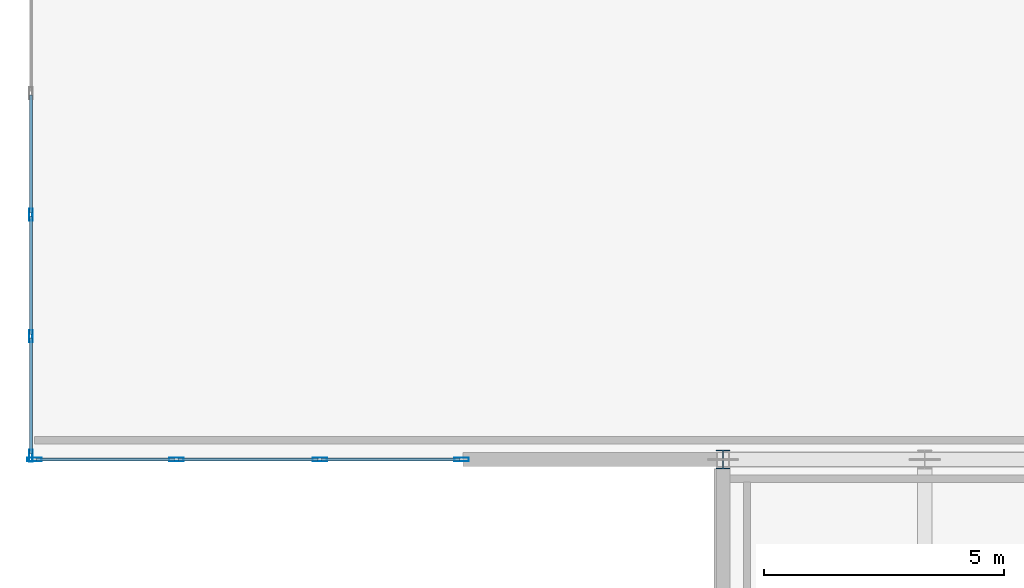
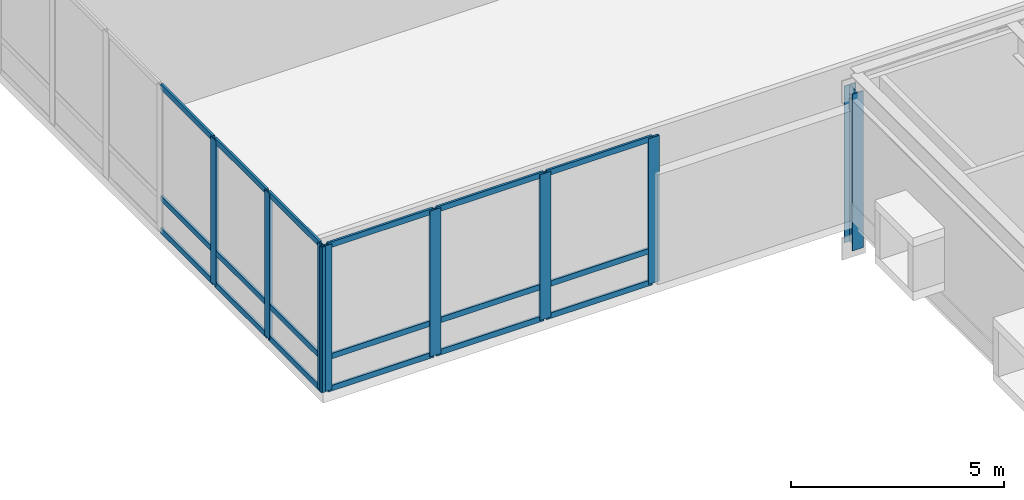
# One storey, part 17 of 115: 26 members, 2 elements without a shape of their own.
"""IFC4 building model written with IfcOpenShell, lengths in metres."""

from ifc_helpers import new_model, si_unit, direction, frame, origin, origin_2d, place, context, subcontext, project, spatial, hollow_rectangle, i_section, extrude, material, layer, layer_set, material_profile, profile_set, type_object, element, aggregate, save


model = new_model("IFC4")

# Units and contexts
model_context = context("Model", 3, precision=1e-05, world=origin(), true_north=direction((0.0, 1.0)))
body_context = subcontext(model_context, "Body", "Model", "MODEL_VIEW")
ifc_project = project(units=[si_unit("LENGTHUNIT", "METRE"), si_unit("AREAUNIT", "SQUARE_METRE"), si_unit("VOLUMEUNIT", "CUBIC_METRE"), si_unit("PLANEANGLEUNIT", "RADIAN"), si_unit("MASSUNIT", "GRAM", prefix="KILO")], contexts=[model_context])

# Site, building, storey
site_placement = place(None, origin())
site = spatial("IfcSite", under=ifc_project, at=site_placement, CompositionType="ELEMENT")
building_placement = place(site_placement, origin())
building = spatial("IfcBuilding", under=site, at=building_placement, Name="Montelvaro Courts of Justice", CompositionType="ELEMENT")
storey_placement = place(building_placement, frame((0.0, 0.0, 9.89990234375)))
storey = spatial("IfcBuildingStorey", under=building, at=storey_placement, Name="L02", CompositionType="ELEMENT", Elevation=9.89990234375)

# Curtain wall, members
ifc_material_1 = material(Name="Anodised aluminium EN AW-6063", Category="aluminium")
ifc_layer_1 = layer(ifc_material_1, 0.159912109375)
ifc_layer_set_1 = layer_set([ifc_layer_1], Name="Anodised aluminium EN AW-6063")
curtain_wall_type_1 = type_object("IfcCurtainWallType", Name="CurtainWall_29_1770x418", PredefinedType="USERDEFINED", material=ifc_layer_set_1)
curtain_wall_1_placement = place(storey_placement, origin())
curtain_wall_1 = element("IfcCurtainWall", 1, at=curtain_wall_1_placement, inside=storey, type_object=curtain_wall_type_1, Name="Curtain Wall CW-29 (L02)", ObjectType="CURTAIN WALL", PredefinedType="USERDEFINED")
ifc_material_profile_1 = material_profile(ifc_material_1, hollow_rectangle(XDim=0.074951171875, YDim=0.25, WallThickness=0.005615234375, at=origin_2d()), Name="ALU-M 75x250")
ifc_profile_set_1 = profile_set([ifc_material_profile_1], Name="Anodised aluminium EN AW-6063")
member_type_1 = type_object("IfcMemberType", Name="CurtainWall_Mullion_75x250", PredefinedType="MULLION", material=ifc_profile_set_1)
member_1_placement = place(storey_placement, frame((18.0, 29.095703125, 0.0), z_axis=(0.0, 0.0, 1.0), x_axis=(1.0, 0.0, 0.0)))
member_1 = element("IfcMember", 2, at=member_1_placement, type_object=member_type_1, Name="CW-29 mullion 6", PredefinedType="MULLION", context=body_context, shape_type="SweptSolid", body=[
    extrude(hollow_rectangle(XDim=0.074951171875, YDim=0.25, WallThickness=0.005615234375, at=origin_2d()), origin(), (0.0, 0.0, 1.0), 4.18017578125),
])
member_2_placement = place(storey_placement, frame((18.0, 26.56787109375, 0.0), z_axis=(0.0, 0.0, 1.0), x_axis=(1.0, 0.0, 0.0)))
member_2 = element("IfcMember", 3, at=member_2_placement, type_object=member_type_1, Name="CW-29 mullion 7", PredefinedType="MULLION", context=body_context, shape_type="SweptSolid", body=[
    extrude(hollow_rectangle(XDim=0.074951171875, YDim=0.25, WallThickness=0.005615234375, at=origin_2d()), origin(), (0.0, 0.0, 1.0), 4.18017578125),
])
member_3_placement = place(storey_placement, frame((18.0, 24.077392578125, 0.0), z_axis=(0.0, 0.0, 1.0), x_axis=(1.0, 0.0, 0.0)))
member_3 = element("IfcMember", 4, at=member_3_placement, type_object=member_type_1, Name="CW-29 mullion 8", PredefinedType="MULLION", context=body_context, shape_type="SweptSolid", body=[
    extrude(hollow_rectangle(XDim=0.074951171875, YDim=0.25, WallThickness=0.005615234375, at=origin_2d()), origin(), (0.0, 0.0, 1.0), 4.18017578125),
])

ifc_layer_2 = layer(ifc_material_1, 0.159912109375)
ifc_layer_set_2 = layer_set([ifc_layer_2], Name="Anodised aluminium EN AW-6063")
curtain_wall_type_2 = type_object("IfcCurtainWallType", Name="CurtainWall_28_896x418", PredefinedType="USERDEFINED", material=ifc_layer_set_2)
curtain_wall_2_placement = place(storey_placement, origin())
curtain_wall_2 = element("IfcCurtainWall", 5, at=curtain_wall_2_placement, inside=storey, type_object=curtain_wall_type_2, Name="Curtain Wall CW-28 (L02)", ObjectType="CURTAIN WALL", PredefinedType="USERDEFINED")
ifc_material_profile_2 = material_profile(ifc_material_1, hollow_rectangle(XDim=0.074951171875, YDim=0.300048828125, WallThickness=0.006103515625, at=origin_2d()), Name="ALU-M 75x300")
ifc_profile_set_2 = profile_set([ifc_material_profile_2], Name="Anodised aluminium EN AW-6063")
member_type_2 = type_object("IfcMemberType", Name="CurtainWall_Mullion_75x300", PredefinedType="MULLION", material=ifc_profile_set_2)
member_4_placement = place(storey_placement, frame((18.077392578125, 24.0, 0.0), z_axis=(0.0, 0.0, 1.0), x_axis=(0.0, 1.0, 0.0)))
member_4 = element("IfcMember", 6, at=member_4_placement, type_object=member_type_2, Name="CW-28 mullion 1", PredefinedType="MULLION", context=body_context, shape_type="SweptSolid", body=[
    extrude(hollow_rectangle(XDim=0.074951171875, YDim=0.300048828125, WallThickness=0.006103515625, at=origin_2d()), origin(), (0.0, 0.0, 1.0), 4.18017578125),
])
member_5_placement = place(storey_placement, frame((21.026611328125, 24.0, 0.0), z_axis=(0.0, 0.0, 1.0), x_axis=(0.0, 1.0, 0.0)))
member_5 = element("IfcMember", 7, at=member_5_placement, type_object=member_type_2, Name="CW-28 mullion 2", PredefinedType="MULLION", context=body_context, shape_type="SweptSolid", body=[
    extrude(hollow_rectangle(XDim=0.074951171875, YDim=0.300048828125, WallThickness=0.006103515625, at=origin_2d()), origin(), (0.0, 0.0, 1.0), 4.18017578125),
])
member_6_placement = place(storey_placement, frame((24.013427734375, 24.0, 0.0), z_axis=(0.0, 0.0, 1.0), x_axis=(0.0, 1.0, 0.0)))
member_6 = element("IfcMember", 8, at=member_6_placement, type_object=member_type_2, Name="CW-28 mullion 3", PredefinedType="MULLION", context=body_context, shape_type="SweptSolid", body=[
    extrude(hollow_rectangle(XDim=0.074951171875, YDim=0.300048828125, WallThickness=0.006103515625, at=origin_2d()), origin(), (0.0, 0.0, 1.0), 4.18017578125),
])
member_7_placement = place(storey_placement, frame((26.96240234375, 24.0, 0.0), z_axis=(0.0, 0.0, 1.0), x_axis=(0.0, 1.0, 0.0)))
member_7 = element("IfcMember", 9, at=member_7_placement, type_object=member_type_2, Name="CW-28 mullion 4", PredefinedType="MULLION", context=body_context, shape_type="SweptSolid", body=[
    extrude(hollow_rectangle(XDim=0.074951171875, YDim=0.300048828125, WallThickness=0.006103515625, at=origin_2d()), origin(), (0.0, 0.0, 1.0), 4.18017578125),
])
ifc_material_profile_3 = material_profile(ifc_material_1, hollow_rectangle(XDim=0.06005859375, YDim=0.159912109375, WallThickness=0.00439453125, at=origin_2d()), Name="ALU-T 60x160")
ifc_profile_set_3 = profile_set([ifc_material_profile_3], Name="Anodised aluminium EN AW-6063")
member_type_3 = type_object("IfcMemberType", Name="CurtainWall_Transom_60x160", PredefinedType="USERDEFINED", material=ifc_profile_set_3)
member_8_placement = place(storey_placement, frame((18.114990234375, 24.0, 0.030029296875), z_axis=(1.0, 0.0, 0.0), x_axis=(0.0, 1.0, 0.0)))
member_8 = element("IfcMember", 10, at=member_8_placement, type_object=member_type_3, Name="CW-28 transom 1.1", ObjectType="TRANSOM", PredefinedType="USERDEFINED", context=body_context, shape_type="SweptSolid", body=[
    extrude(hollow_rectangle(XDim=0.06005859375, YDim=0.159912109375, WallThickness=0.00439453125, at=origin_2d()), origin(), (0.0, 0.0, 1.0), 2.874267578125),
])
member_9_placement = place(storey_placement, frame((18.114990234375, 24.0, 0.9501953125), z_axis=(1.0, 0.0, 0.0), x_axis=(0.0, 1.0, 0.0)))
member_9 = element("IfcMember", 11, at=member_9_placement, type_object=member_type_3, Name="CW-28 transom 1.2", ObjectType="TRANSOM", PredefinedType="USERDEFINED", context=body_context, shape_type="SweptSolid", body=[
    extrude(hollow_rectangle(XDim=0.06005859375, YDim=0.159912109375, WallThickness=0.00439453125, at=origin_2d()), origin(), (0.0, 0.0, 1.0), 2.874267578125),
])
member_10_placement = place(storey_placement, frame((18.114990234375, 24.0, 4.150146484375), z_axis=(1.0, 0.0, 0.0), x_axis=(0.0, 1.0, 0.0)))
member_10 = element("IfcMember", 12, at=member_10_placement, type_object=member_type_3, Name="CW-28 transom 1.3", ObjectType="TRANSOM", PredefinedType="USERDEFINED", context=body_context, shape_type="SweptSolid", body=[
    extrude(hollow_rectangle(XDim=0.06005859375, YDim=0.159912109375, WallThickness=0.00439453125, at=origin_2d()), origin(), (0.0, 0.0, 1.0), 2.874267578125),
])
member_11_placement = place(storey_placement, frame((21.064208984375, 24.0, 0.030029296875), z_axis=(1.0, 0.0, 0.0), x_axis=(0.0, 1.0, 0.0)))
member_11 = element("IfcMember", 13, at=member_11_placement, type_object=member_type_3, Name="CW-28 transom 2.1", ObjectType="TRANSOM", PredefinedType="USERDEFINED", context=body_context, shape_type="SweptSolid", body=[
    extrude(hollow_rectangle(XDim=0.06005859375, YDim=0.159912109375, WallThickness=0.00439453125, at=origin_2d()), origin(), (0.0, 0.0, 1.0), 2.91162109375),
])
member_12_placement = place(storey_placement, frame((21.064208984375, 24.0, 0.9501953125), z_axis=(1.0, 0.0, 0.0), x_axis=(0.0, 1.0, 0.0)))
member_12 = element("IfcMember", 14, at=member_12_placement, type_object=member_type_3, Name="CW-28 transom 2.2", ObjectType="TRANSOM", PredefinedType="USERDEFINED", context=body_context, shape_type="SweptSolid", body=[
    extrude(hollow_rectangle(XDim=0.06005859375, YDim=0.159912109375, WallThickness=0.00439453125, at=origin_2d()), origin(), (0.0, 0.0, 1.0), 2.91162109375),
])
member_13_placement = place(storey_placement, frame((21.064208984375, 24.0, 4.150146484375), z_axis=(1.0, 0.0, 0.0), x_axis=(0.0, 1.0, 0.0)))
member_13 = element("IfcMember", 15, at=member_13_placement, type_object=member_type_3, Name="CW-28 transom 2.3", ObjectType="TRANSOM", PredefinedType="USERDEFINED", context=body_context, shape_type="SweptSolid", body=[
    extrude(hollow_rectangle(XDim=0.06005859375, YDim=0.159912109375, WallThickness=0.00439453125, at=origin_2d()), origin(), (0.0, 0.0, 1.0), 2.91162109375),
])
member_14_placement = place(storey_placement, frame((24.05078125, 24.0, 0.030029296875), z_axis=(1.0, 0.0, 0.0), x_axis=(0.0, 1.0, 0.0)))
member_14 = element("IfcMember", 16, at=member_14_placement, type_object=member_type_3, Name="CW-28 transom 3.1", ObjectType="TRANSOM", PredefinedType="USERDEFINED", context=body_context, shape_type="SweptSolid", body=[
    extrude(hollow_rectangle(XDim=0.06005859375, YDim=0.159912109375, WallThickness=0.00439453125, at=origin_2d()), origin(), (0.0, 0.0, 1.0), 2.874267578125),
])
member_15_placement = place(storey_placement, frame((24.05078125, 24.0, 0.9501953125), z_axis=(1.0, 0.0, 0.0), x_axis=(0.0, 1.0, 0.0)))
member_15 = element("IfcMember", 17, at=member_15_placement, type_object=member_type_3, Name="CW-28 transom 3.2", ObjectType="TRANSOM", PredefinedType="USERDEFINED", context=body_context, shape_type="SweptSolid", body=[
    extrude(hollow_rectangle(XDim=0.06005859375, YDim=0.159912109375, WallThickness=0.00439453125, at=origin_2d()), origin(), (0.0, 0.0, 1.0), 2.874267578125),
])
member_16_placement = place(storey_placement, frame((24.05078125, 24.0, 4.150146484375), z_axis=(1.0, 0.0, 0.0), x_axis=(0.0, 1.0, 0.0)))
member_16 = element("IfcMember", 18, at=member_16_placement, type_object=member_type_3, Name="CW-28 transom 3.3", ObjectType="TRANSOM", PredefinedType="USERDEFINED", context=body_context, shape_type="SweptSolid", body=[
    extrude(hollow_rectangle(XDim=0.06005859375, YDim=0.159912109375, WallThickness=0.00439453125, at=origin_2d()), origin(), (0.0, 0.0, 1.0), 2.874267578125),
])
aggregate(curtain_wall_2, [member_4, member_5, member_6, member_7, member_8, member_9, member_10, member_11, member_12, member_13, member_14, member_15, member_16])

# Member
member_17_placement = place(storey_placement, frame((18.0, 31.586181640625, 0.030029296875), z_axis=(0.0, -1.0, 0.0), x_axis=(1.0, 0.0, 0.0)))
member_17 = element("IfcMember", 19, at=member_17_placement, type_object=member_type_3, Name="CW-29 transom 5.1", ObjectType="TRANSOM", PredefinedType="USERDEFINED", context=body_context, shape_type="SweptSolid", body=[
    extrude(hollow_rectangle(XDim=0.06005859375, YDim=0.159912109375, WallThickness=0.00439453125, at=origin_2d()), origin(), (0.0, 0.0, 1.0), 2.452880859375),
])

member_18_placement = place(storey_placement, frame((18.0, 31.586181640625, 0.9501953125), z_axis=(0.0, -1.0, 0.0), x_axis=(1.0, 0.0, 0.0)))
member_18 = element("IfcMember", 20, at=member_18_placement, type_object=member_type_3, Name="CW-29 transom 5.2", ObjectType="TRANSOM", PredefinedType="USERDEFINED", context=body_context, shape_type="SweptSolid", body=[
    extrude(hollow_rectangle(XDim=0.06005859375, YDim=0.159912109375, WallThickness=0.00439453125, at=origin_2d()), origin(), (0.0, 0.0, 1.0), 2.452880859375),
])

member_19_placement = place(storey_placement, frame((18.0, 31.586181640625, 4.150146484375), z_axis=(0.0, -1.0, 0.0), x_axis=(1.0, 0.0, 0.0)))
member_19 = element("IfcMember", 21, at=member_19_placement, type_object=member_type_3, Name="CW-29 transom 5.3", ObjectType="TRANSOM", PredefinedType="USERDEFINED", context=body_context, shape_type="SweptSolid", body=[
    extrude(hollow_rectangle(XDim=0.06005859375, YDim=0.159912109375, WallThickness=0.00439453125, at=origin_2d()), origin(), (0.0, 0.0, 1.0), 2.452880859375),
])

member_20_placement = place(storey_placement, frame((18.0, 29.05810546875, 0.030029296875), z_axis=(0.0, -1.0, 0.0), x_axis=(1.0, 0.0, 0.0)))
member_20 = element("IfcMember", 22, at=member_20_placement, type_object=member_type_3, Name="CW-29 transom 6.1", ObjectType="TRANSOM", PredefinedType="USERDEFINED", context=body_context, shape_type="SweptSolid", body=[
    extrude(hollow_rectangle(XDim=0.06005859375, YDim=0.159912109375, WallThickness=0.00439453125, at=origin_2d()), origin(), (0.0, 0.0, 1.0), 2.45263671875),
])

member_21_placement = place(storey_placement, frame((18.0, 29.05810546875, 0.9501953125), z_axis=(0.0, -1.0, 0.0), x_axis=(1.0, 0.0, 0.0)))
member_21 = element("IfcMember", 23, at=member_21_placement, type_object=member_type_3, Name="CW-29 transom 6.2", ObjectType="TRANSOM", PredefinedType="USERDEFINED", context=body_context, shape_type="SweptSolid", body=[
    extrude(hollow_rectangle(XDim=0.06005859375, YDim=0.159912109375, WallThickness=0.00439453125, at=origin_2d()), origin(), (0.0, 0.0, 1.0), 2.45263671875),
])

member_22_placement = place(storey_placement, frame((18.0, 29.05810546875, 4.150146484375), z_axis=(0.0, -1.0, 0.0), x_axis=(1.0, 0.0, 0.0)))
member_22 = element("IfcMember", 24, at=member_22_placement, type_object=member_type_3, Name="CW-29 transom 6.3", ObjectType="TRANSOM", PredefinedType="USERDEFINED", context=body_context, shape_type="SweptSolid", body=[
    extrude(hollow_rectangle(XDim=0.06005859375, YDim=0.159912109375, WallThickness=0.00439453125, at=origin_2d()), origin(), (0.0, 0.0, 1.0), 2.45263671875),
])

member_23_placement = place(storey_placement, frame((18.0, 26.5302734375, 0.030029296875), z_axis=(0.0, -1.0, 0.0), x_axis=(1.0, 0.0, 0.0)))
member_23 = element("IfcMember", 25, at=member_23_placement, type_object=member_type_3, Name="CW-29 transom 7.1", ObjectType="TRANSOM", PredefinedType="USERDEFINED", context=body_context, shape_type="SweptSolid", body=[
    extrude(hollow_rectangle(XDim=0.06005859375, YDim=0.159912109375, WallThickness=0.00439453125, at=origin_2d()), origin(), (0.0, 0.0, 1.0), 2.415283203125),
])

member_24_placement = place(storey_placement, frame((18.0, 26.5302734375, 0.9501953125), z_axis=(0.0, -1.0, 0.0), x_axis=(1.0, 0.0, 0.0)))
member_24 = element("IfcMember", 26, at=member_24_placement, type_object=member_type_3, Name="CW-29 transom 7.2", ObjectType="TRANSOM", PredefinedType="USERDEFINED", context=body_context, shape_type="SweptSolid", body=[
    extrude(hollow_rectangle(XDim=0.06005859375, YDim=0.159912109375, WallThickness=0.00439453125, at=origin_2d()), origin(), (0.0, 0.0, 1.0), 2.415283203125),
])

member_25_placement = place(storey_placement, frame((18.0, 26.5302734375, 4.150146484375), z_axis=(0.0, -1.0, 0.0), x_axis=(1.0, 0.0, 0.0)))
member_25 = element("IfcMember", 27, at=member_25_placement, type_object=member_type_3, Name="CW-29 transom 7.3", ObjectType="TRANSOM", PredefinedType="USERDEFINED", context=body_context, shape_type="SweptSolid", body=[
    extrude(hollow_rectangle(XDim=0.06005859375, YDim=0.159912109375, WallThickness=0.00439453125, at=origin_2d()), origin(), (0.0, 0.0, 1.0), 2.415283203125),
])

aggregate(curtain_wall_1, [member_1, member_2, member_3, member_17, member_18, member_19, member_20, member_21, member_22, member_23, member_24, member_25])

ifc_material_2 = material(Name="Steel S355", Category="steel")
ifc_material_profile_4 = material_profile(ifc_material_2, i_section(OverallWidth=0.300048828125, OverallDepth=0.39990234375, WebThickness=0.013427734375, FlangeThickness=0.02392578125, at=origin_2d()), Name="HEB 400")
ifc_profile_set_4 = profile_set([ifc_material_profile_4], Name="Steel S355")
member_type_4 = type_object("IfcMemberType", Name="Mem_HEB400_Post", PredefinedType="POST", material=ifc_profile_set_4)
member_26_placement = place(storey_placement, frame((32.39990234375, 24.0, -0.843994140625), z_axis=(0.0, 0.0, 1.0), x_axis=(1.0, 0.0, 0.0)))
element("IfcMember", 28, at=member_26_placement, inside=storey, type_object=member_type_4, Name="Pratt Cantilever Truss Post MP-01 CTR-BAR1-N-L02-3", PredefinedType="POST", context=body_context, shape_type="SweptSolid", body=[
    extrude(i_section(OverallWidth=0.300048828125, OverallDepth=0.39990234375, WebThickness=0.013427734375, FlangeThickness=0.02392578125, at=origin_2d()), origin(), (0.0, 0.0, 1.0), 4.5),
])

save(model, "model.ifc")
